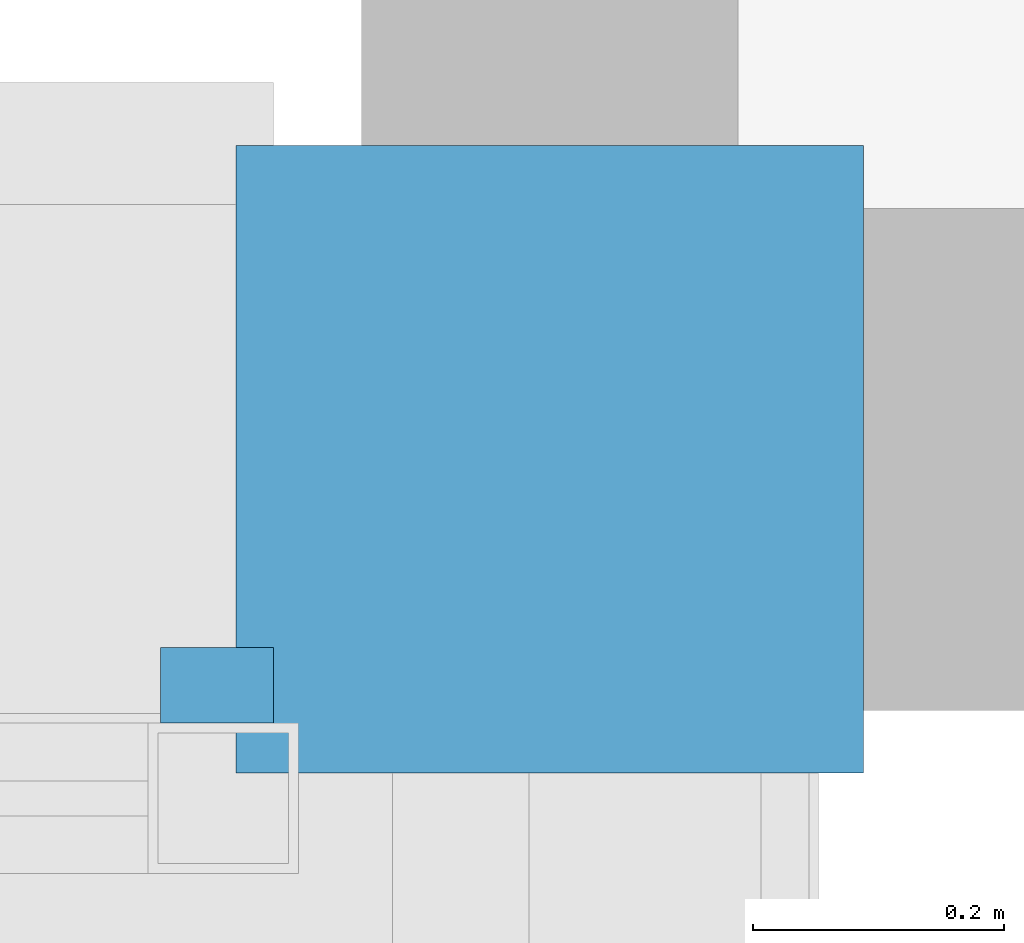
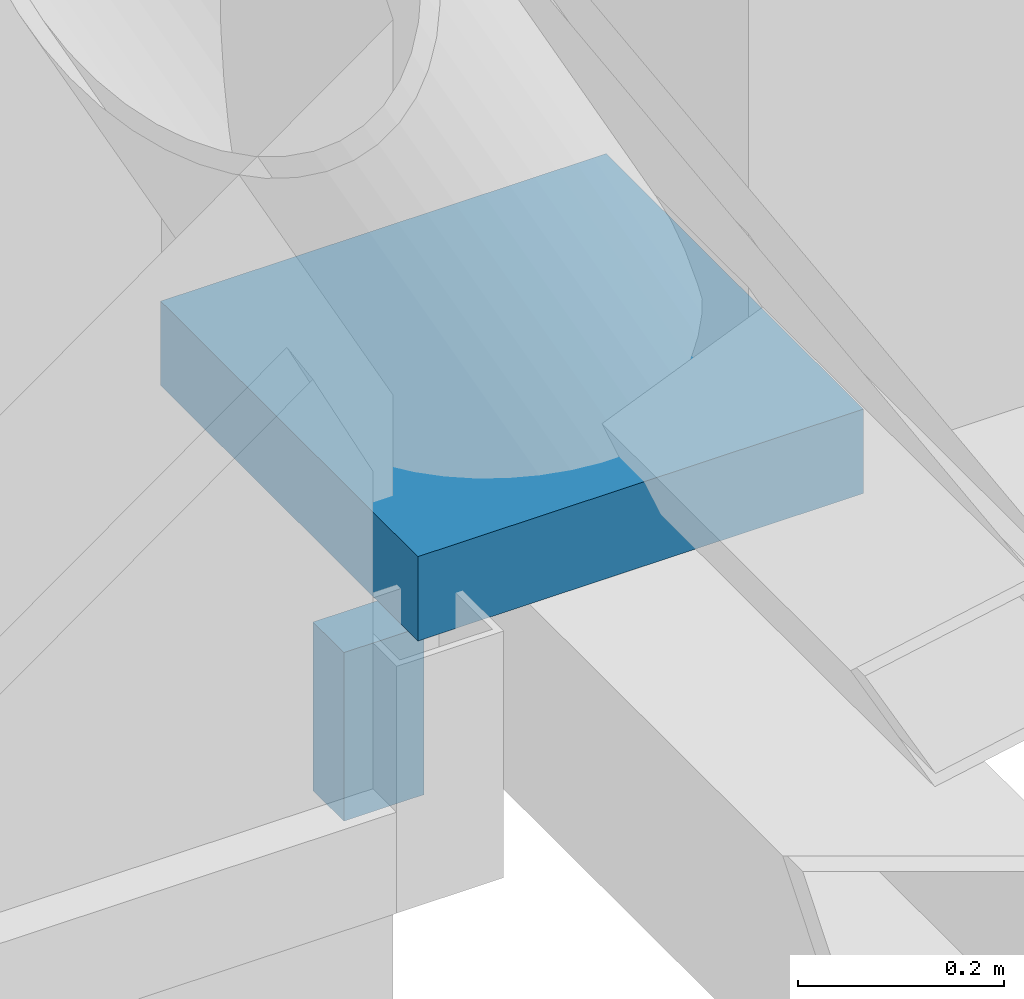
# One storey, part 112 of 121: 2 discrete accessories.
"""IFC4 building model written with IfcOpenShell, lengths in metres."""

from ifc_helpers import new_model, si_unit, direction, frame, origin, origin_2d, place, context, subcontext, project, spatial, rectangle, extrude, material, type_object, element, save


model = new_model("IFC4")

# Units and contexts
model_context = context("Model", 3, precision=1e-05, world=origin(), true_north=direction((0.0, 1.0)))
body_context = subcontext(model_context, "Body", "Model", "MODEL_VIEW")
ifc_project = project(units=[si_unit("LENGTHUNIT", "METRE"), si_unit("AREAUNIT", "SQUARE_METRE"), si_unit("VOLUMEUNIT", "CUBIC_METRE"), si_unit("PLANEANGLEUNIT", "RADIAN"), si_unit("MASSUNIT", "GRAM", prefix="KILO")], contexts=[model_context])

# Site, building, storey
site_placement = place(None, origin())
site = spatial("IfcSite", under=ifc_project, at=site_placement, CompositionType="ELEMENT")
building_placement = place(site_placement, origin())
building = spatial("IfcBuilding", under=site, at=building_placement, Name="Golden Quay Civic Hall", CompositionType="ELEMENT")
storey_placement = place(building_placement, frame((0.0, 0.0, 18.60009765625)))
storey = spatial("IfcBuildingStorey", under=building, at=storey_placement, Name="L04", CompositionType="ELEMENT", Elevation=18.60009765625)

# Discrete accessories
ifc_material_1 = material(Name="Steel S355", Category="steel")
discrete_accessory_type_1 = type_object("IfcDiscreteAccessoryType", Name="Hall screen bracket 100 x 200", PredefinedType="BRACKET", material=ifc_material_1)
discrete_accessory_1_placement = place(storey_placement, frame((98.735107421875, 62.820068359375, -0.21728515625), z_axis=(0.0, 0.0, 1.0), x_axis=(1.0, 0.0, 0.0)))
element("IfcDiscreteAccessory", 1, at=discrete_accessory_1_placement, inside=storey, type_object=discrete_accessory_type_1, Name="Hall screen bracket 18", PredefinedType="BRACKET", context=body_context, shape_type="SweptSolid", body=[
    extrude(rectangle(XDim=0.090087890625, YDim=0.06005859375, at=origin_2d()), origin(), (0.0, 0.0, 1.0), 0.199951171875),
])
ifc_material_2 = material(Name="Steel S355", Category="steel")
discrete_accessory_type_2 = type_object("IfcDiscreteAccessoryType", Name="Steel bearing shoe 500x500x100", PredefinedType="BRACKET", material=ifc_material_2)
discrete_accessory_2_placement = place(storey_placement, frame((99.0, 63.0, -0.000244140625), z_axis=(0.0, 0.0, 1.0), x_axis=(1.0, 0.0, 0.0)))
element("IfcDiscreteAccessory", 2, at=discrete_accessory_2_placement, inside=storey, type_object=discrete_accessory_type_2, Name="Bearing shoe 8", PredefinedType="BRACKET", context=body_context, shape_type="SweptSolid", body=[
    extrude(rectangle(XDim=0.5, YDim=0.5, at=origin_2d()), origin(), (0.0, 0.0, 1.0), 0.10009765625),
])

save(model, "model.ifc")
